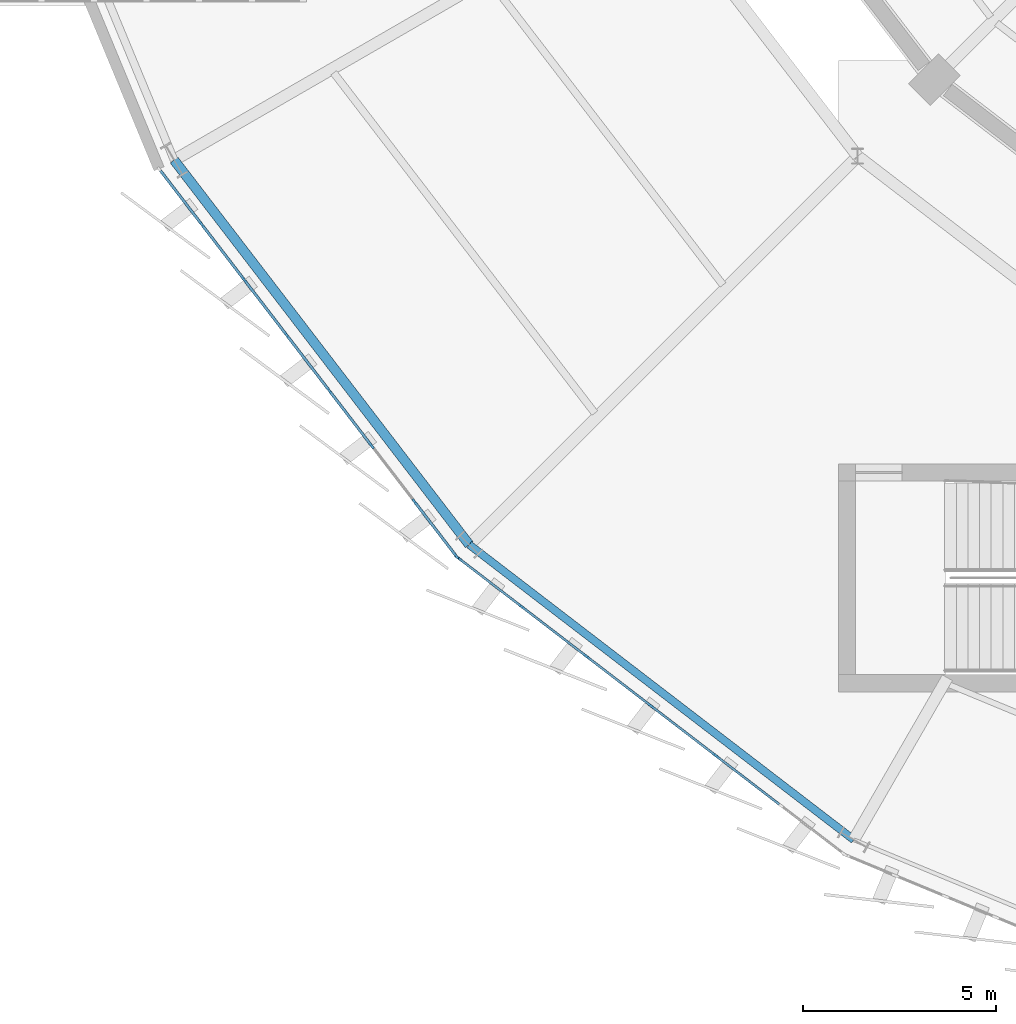
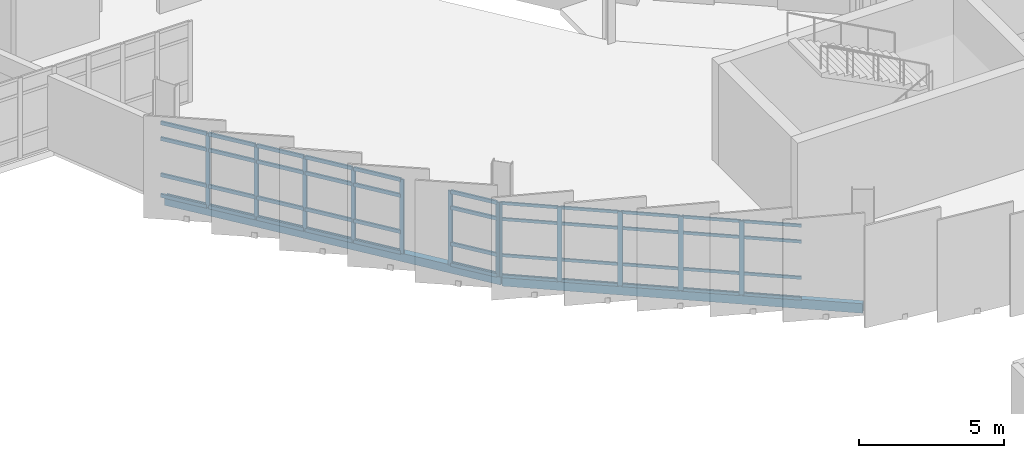
# One storey, part 29 of 125: 56 members, 2 beams, 2 elements without a shape of their own.
"""IFC4 building model written with IfcOpenShell, lengths in metres."""

from ifc_helpers import new_model, si_unit, direction, frame, origin, origin_2d, place, context, subcontext, project, spatial, rectangle, hollow_rectangle, extrude, material, layer, layer_set, material_profile, profile_set, type_object, element, aggregate, save


model = new_model("IFC4")

# Units and contexts
model_context = context("Model", 3, precision=1e-05, world=origin(), true_north=direction((0.0, 1.0)))
body_context = subcontext(model_context, "Body", "Model", "MODEL_VIEW")
ifc_project = project(units=[si_unit("LENGTHUNIT", "METRE"), si_unit("AREAUNIT", "SQUARE_METRE"), si_unit("VOLUMEUNIT", "CUBIC_METRE"), si_unit("PLANEANGLEUNIT", "RADIAN"), si_unit("MASSUNIT", "GRAM", prefix="KILO")], contexts=[model_context])

# Site, building, storey
site_placement = place(None, origin())
site = spatial("IfcSite", under=ifc_project, at=site_placement, CompositionType="ELEMENT")
building_placement = place(site_placement, origin())
building = spatial("IfcBuilding", under=site, at=building_placement, Name="Sohan Crest Arena", CompositionType="ELEMENT")
storey_placement = place(building_placement, frame((0.0, 0.0, 9.0)))
storey = spatial("IfcBuildingStorey", under=building, at=storey_placement, Name="L02", CompositionType="ELEMENT", Elevation=9.0)

# Curtain wall, members
ifc_material_1 = material(Name="Thermally broken anodised aluminium", Category="aluminium")
ifc_layer_1 = layer(ifc_material_1, 0.219970703125, Name="Thermally broken anodised aluminium")
ifc_layer_set_1 = layer_set([ifc_layer_1], Name="Thermally broken anodised aluminium")
curtain_wall_type_1 = type_object("IfcCurtainWallType", Name="ARC-CW03", PredefinedType="NOTDEFINED", material=ifc_layer_set_1)
curtain_wall_1_placement = place(storey_placement, origin())
curtain_wall_1 = element("IfcCurtainWall", 1, at=curtain_wall_1_placement, inside=storey, type_object=curtain_wall_type_1, Name="Unitised curtain wall CW-056", PredefinedType="NOTDEFINED")
ifc_material_profile_1 = material_profile(ifc_material_1, rectangle(XDim=0.06005859375, YDim=0.159912109375, at=origin_2d()), Name="ALU-MULL 60x160")
ifc_profile_set_1 = profile_set([ifc_material_profile_1], Name="Thermally broken anodised aluminium")
member_type_1 = type_object("IfcMemberType", Name="ARC-CW-ML01", PredefinedType="MULLION", material=ifc_profile_set_1)
member_1_placement = place(storey_placement, frame((57.14111328125, 52.341552734375, 0.0), z_axis=(0.0, 0.0, 1.0), x_axis=(0.79332886296, 0.60879332716, 0.0)))
member_1 = element("IfcMember", 2, at=member_1_placement, type_object=member_type_1, Name="CW-056 mullion 2", PredefinedType="MULLION", context=body_context, shape_type="SweptSolid", body=[
    extrude(rectangle(XDim=0.06005859375, YDim=0.159912109375, at=origin_2d()), origin(), (0.0, 0.0, 1.0), 3.1201171875),
])
member_2_placement = place(storey_placement, frame((58.240966796875, 50.908203125, 0.0), z_axis=(0.0, 0.0, 1.0), x_axis=(0.79332886296, 0.60879332716, 0.0)))
member_2 = element("IfcMember", 3, at=member_2_placement, type_object=member_type_1, Name="CW-056 mullion 3", PredefinedType="MULLION", context=body_context, shape_type="SweptSolid", body=[
    extrude(rectangle(XDim=0.06005859375, YDim=0.159912109375, at=origin_2d()), origin(), (0.0, 0.0, 1.0), 3.1201171875),
])
member_3_placement = place(storey_placement, frame((59.341064453125, 49.474609375, 0.0), z_axis=(0.0, 0.0, 1.0), x_axis=(0.79332886296, 0.60879332716, 0.0)))
member_3 = element("IfcMember", 4, at=member_3_placement, type_object=member_type_1, Name="CW-056 mullion 4", PredefinedType="MULLION", context=body_context, shape_type="SweptSolid", body=[
    extrude(rectangle(XDim=0.06005859375, YDim=0.159912109375, at=origin_2d()), origin(), (0.0, 0.0, 1.0), 3.1201171875),
])
member_4_placement = place(storey_placement, frame((60.44091796875, 48.041259765625, 0.0), z_axis=(0.0, 0.0, 1.0), x_axis=(0.79332886296, 0.60879332716, 0.0)))
member_4 = element("IfcMember", 5, at=member_4_placement, type_object=member_type_1, Name="CW-056 mullion 5", PredefinedType="MULLION", context=body_context, shape_type="SweptSolid", body=[
    extrude(rectangle(XDim=0.06005859375, YDim=0.159912109375, at=origin_2d()), origin(), (0.0, 0.0, 1.0), 3.1201171875),
])
member_5_placement = place(storey_placement, frame((61.541015625, 46.60791015625, 0.0), z_axis=(0.0, 0.0, 1.0), x_axis=(0.79332886296, 0.60879332716, 0.0)))
member_5 = element("IfcMember", 6, at=member_5_placement, type_object=member_type_1, Name="CW-056 mullion 6", PredefinedType="MULLION", context=body_context, shape_type="SweptSolid", body=[
    extrude(rectangle(XDim=0.06005859375, YDim=0.159912109375, at=origin_2d()), origin(), (0.0, 0.0, 1.0), 3.1201171875),
])
member_6_placement = place(storey_placement, frame((62.64111328125, 45.17431640625, 0.0), z_axis=(0.0, 0.0, 1.0), x_axis=(0.79332886296, 0.60879332716, 0.0)))
member_6 = element("IfcMember", 7, at=member_6_placement, type_object=member_type_1, Name="CW-056 mullion 7", PredefinedType="MULLION", context=body_context, shape_type="SweptSolid", body=[
    extrude(rectangle(XDim=0.06005859375, YDim=0.159912109375, at=origin_2d()), origin(), (0.0, 0.0, 1.0), 3.1201171875),
])
member_7_placement = place(storey_placement, frame((63.72265625, 43.764892578125, 0.0), z_axis=(0.0, 0.0, 1.0), x_axis=(0.79332886296, 0.60879332716, 0.0)))
member_7 = element("IfcMember", 8, at=member_7_placement, type_object=member_type_1, Name="CW-056 mullion 8", PredefinedType="MULLION", context=body_context, shape_type="SweptSolid", body=[
    extrude(rectangle(XDim=0.06005859375, YDim=0.159912109375, at=origin_2d()), origin(), (0.0, 0.0, 1.0), 3.1201171875),
])

ifc_layer_2 = layer(ifc_material_1, 0.239990234375, Name="Thermally broken anodised aluminium")
ifc_layer_set_2 = layer_set([ifc_layer_2], Name="Thermally broken anodised aluminium")
curtain_wall_type_2 = type_object("IfcCurtainWallType", Name="ARC-CW04", PredefinedType="NOTDEFINED", material=ifc_layer_set_2)
curtain_wall_2_placement = place(storey_placement, origin())
curtain_wall_2 = element("IfcCurtainWall", 9, at=curtain_wall_2_placement, inside=storey, type_object=curtain_wall_type_2, Name="Unitised curtain wall CW-057", PredefinedType="NOTDEFINED")
ifc_material_profile_2 = material_profile(ifc_material_1, rectangle(XDim=0.06494140625, YDim=0.179931640625, at=origin_2d()), Name="ALU-MULL 65x180")
ifc_profile_set_2 = profile_set([ifc_material_profile_2], Name="Thermally broken anodised aluminium")
member_type_2 = type_object("IfcMemberType", Name="ARC-CW-ML02", PredefinedType="MULLION", material=ifc_profile_set_2)
member_8_placement = place(storey_placement, frame((63.766845703125, 43.72119140625, 0.0), z_axis=(0.0, 0.0, 1.0), x_axis=(0.60879332716, 0.79332886296, 0.0)))
member_8 = element("IfcMember", 10, at=member_8_placement, type_object=member_type_2, Name="CW-057 mullion 1", PredefinedType="MULLION", context=body_context, shape_type="SweptSolid", body=[
    extrude(rectangle(XDim=0.06494140625, YDim=0.179931640625, at=origin_2d()), origin(), (0.0, 0.0, 1.0), 3.1201171875),
])
member_9_placement = place(storey_placement, frame((65.413330078125, 42.457763671875, 0.0), z_axis=(0.0, 0.0, 1.0), x_axis=(0.60879332716, 0.79332886296, 0.0)))
member_9 = element("IfcMember", 11, at=member_9_placement, type_object=member_type_2, Name="CW-057 mullion 2", PredefinedType="MULLION", context=body_context, shape_type="SweptSolid", body=[
    extrude(rectangle(XDim=0.06494140625, YDim=0.179931640625, at=origin_2d()), origin(), (0.0, 0.0, 1.0), 3.1201171875),
])
member_10_placement = place(storey_placement, frame((67.085693359375, 41.17431640625, 0.0), z_axis=(0.0, 0.0, 1.0), x_axis=(0.60879332716, 0.79332886296, 0.0)))
member_10 = element("IfcMember", 12, at=member_10_placement, type_object=member_type_2, Name="CW-057 mullion 3", PredefinedType="MULLION", context=body_context, shape_type="SweptSolid", body=[
    extrude(rectangle(XDim=0.06494140625, YDim=0.179931640625, at=origin_2d()), origin(), (0.0, 0.0, 1.0), 3.1201171875),
])
member_11_placement = place(storey_placement, frame((68.758056640625, 39.89111328125, 0.0), z_axis=(0.0, 0.0, 1.0), x_axis=(0.60879332716, 0.79332886296, 0.0)))
member_11 = element("IfcMember", 13, at=member_11_placement, type_object=member_type_2, Name="CW-057 mullion 4", PredefinedType="MULLION", context=body_context, shape_type="SweptSolid", body=[
    extrude(rectangle(XDim=0.06494140625, YDim=0.179931640625, at=origin_2d()), origin(), (0.0, 0.0, 1.0), 3.1201171875),
])
member_12_placement = place(storey_placement, frame((70.430419921875, 38.607666015625, 0.0), z_axis=(0.0, 0.0, 1.0), x_axis=(0.60879332716, 0.79332886296, 0.0)))
member_12 = element("IfcMember", 14, at=member_12_placement, type_object=member_type_2, Name="CW-057 mullion 5", PredefinedType="MULLION", context=body_context, shape_type="SweptSolid", body=[
    extrude(rectangle(XDim=0.06494140625, YDim=0.179931640625, at=origin_2d()), origin(), (0.0, 0.0, 1.0), 3.1201171875),
])
ifc_material_profile_3 = material_profile(ifc_material_1, rectangle(XDim=0.06005859375, YDim=0.1201171875, at=origin_2d()), Name="ALU-TRAN 60x120")
ifc_profile_set_3 = profile_set([ifc_material_profile_3], Name="Thermally broken anodised aluminium")
member_type_3 = type_object("IfcMemberType", Name="ARC-CW-TR01", PredefinedType="USERDEFINED", material=ifc_profile_set_3)
member_13_placement = place(storey_placement, frame((63.79248046875, 43.701416015625, 0.030029296875), z_axis=(0.793350244306, -0.608765463754, 0.0), x_axis=(0.608765463754, 0.793350244306, 0.0)))
member_13 = element("IfcMember", 15, at=member_13_placement, type_object=member_type_3, Name="CW-057 transom 1.1", ObjectType="TRANSOM", PredefinedType="USERDEFINED", context=body_context, shape_type="SweptSolid", body=[
    extrude(rectangle(XDim=0.06005859375, YDim=0.1201171875, at=origin_2d()), origin(), (0.0, 0.0, 1.0), 2.010498046875),
])
member_14_placement = place(storey_placement, frame((63.79248046875, 43.701416015625, 0.89990234375), z_axis=(0.793350244306, -0.608765463754, 0.0), x_axis=(0.608765463754, 0.793350244306, 0.0)))
member_14 = element("IfcMember", 16, at=member_14_placement, type_object=member_type_3, Name="CW-057 transom 1.2", ObjectType="TRANSOM", PredefinedType="USERDEFINED", context=body_context, shape_type="SweptSolid", body=[
    extrude(rectangle(XDim=0.06005859375, YDim=0.1201171875, at=origin_2d()), origin(), (0.0, 0.0, 1.0), 2.010498046875),
])
member_15_placement = place(storey_placement, frame((63.79248046875, 43.701416015625, 2.419921875), z_axis=(0.793350244306, -0.608765463754, 0.0), x_axis=(0.608765463754, 0.793350244306, 0.0)))
member_15 = element("IfcMember", 17, at=member_15_placement, type_object=member_type_3, Name="CW-057 transom 1.3", ObjectType="TRANSOM", PredefinedType="USERDEFINED", context=body_context, shape_type="SweptSolid", body=[
    extrude(rectangle(XDim=0.06005859375, YDim=0.1201171875, at=origin_2d()), origin(), (0.0, 0.0, 1.0), 2.010498046875),
])
member_16_placement = place(storey_placement, frame((63.79248046875, 43.701416015625, 3.090087890625), z_axis=(0.793350244306, -0.608765463754, 0.0), x_axis=(0.608765463754, 0.793350244306, 0.0)))
member_16 = element("IfcMember", 18, at=member_16_placement, type_object=member_type_3, Name="CW-057 transom 1.4", ObjectType="TRANSOM", PredefinedType="USERDEFINED", context=body_context, shape_type="SweptSolid", body=[
    extrude(rectangle(XDim=0.06005859375, YDim=0.1201171875, at=origin_2d()), origin(), (0.0, 0.0, 1.0), 2.010498046875),
])
member_17_placement = place(storey_placement, frame((65.439208984375, 42.43798828125, 0.030029296875), z_axis=(0.793267713408, -0.608873003889, 0.0), x_axis=(0.608873003889, 0.793267713408, 0.0)))
member_17 = element("IfcMember", 19, at=member_17_placement, type_object=member_type_3, Name="CW-057 transom 2.1", ObjectType="TRANSOM", PredefinedType="USERDEFINED", context=body_context, shape_type="SweptSolid", body=[
    extrude(rectangle(XDim=0.06005859375, YDim=0.1201171875, at=origin_2d()), origin(), (0.0, 0.0, 1.0), 2.04296875),
])
member_18_placement = place(storey_placement, frame((65.439208984375, 42.43798828125, 0.89990234375), z_axis=(0.793267713408, -0.608873003889, 0.0), x_axis=(0.608873003889, 0.793267713408, 0.0)))
member_18 = element("IfcMember", 20, at=member_18_placement, type_object=member_type_3, Name="CW-057 transom 2.2", ObjectType="TRANSOM", PredefinedType="USERDEFINED", context=body_context, shape_type="SweptSolid", body=[
    extrude(rectangle(XDim=0.06005859375, YDim=0.1201171875, at=origin_2d()), origin(), (0.0, 0.0, 1.0), 2.04296875),
])
member_19_placement = place(storey_placement, frame((65.439208984375, 42.43798828125, 2.419921875), z_axis=(0.793267713408, -0.608873003889, 0.0), x_axis=(0.608873003889, 0.793267713408, 0.0)))
member_19 = element("IfcMember", 21, at=member_19_placement, type_object=member_type_3, Name="CW-057 transom 2.3", ObjectType="TRANSOM", PredefinedType="USERDEFINED", context=body_context, shape_type="SweptSolid", body=[
    extrude(rectangle(XDim=0.06005859375, YDim=0.1201171875, at=origin_2d()), origin(), (0.0, 0.0, 1.0), 2.04296875),
])
member_20_placement = place(storey_placement, frame((65.439208984375, 42.43798828125, 3.090087890625), z_axis=(0.793267713408, -0.608873003889, 0.0), x_axis=(0.608873003889, 0.793267713408, 0.0)))
member_20 = element("IfcMember", 22, at=member_20_placement, type_object=member_type_3, Name="CW-057 transom 2.4", ObjectType="TRANSOM", PredefinedType="USERDEFINED", context=body_context, shape_type="SweptSolid", body=[
    extrude(rectangle(XDim=0.06005859375, YDim=0.1201171875, at=origin_2d()), origin(), (0.0, 0.0, 1.0), 2.04296875),
])
member_21_placement = place(storey_placement, frame((67.111328125, 41.154541015625, 0.030029296875), z_axis=(0.793369723671, -0.608740077177, 0.0), x_axis=(0.608740077177, 0.793369723671, 0.0)))
member_21 = element("IfcMember", 23, at=member_21_placement, type_object=member_type_3, Name="CW-057 transom 3.1", ObjectType="TRANSOM", PredefinedType="USERDEFINED", context=body_context, shape_type="SweptSolid", body=[
    extrude(rectangle(XDim=0.06005859375, YDim=0.1201171875, at=origin_2d()), origin(), (0.0, 0.0, 1.0), 2.04296875),
])
member_22_placement = place(storey_placement, frame((67.111328125, 41.154541015625, 0.89990234375), z_axis=(0.793369723671, -0.608740077177, 0.0), x_axis=(0.608740077177, 0.793369723671, 0.0)))
member_22 = element("IfcMember", 24, at=member_22_placement, type_object=member_type_3, Name="CW-057 transom 3.2", ObjectType="TRANSOM", PredefinedType="USERDEFINED", context=body_context, shape_type="SweptSolid", body=[
    extrude(rectangle(XDim=0.06005859375, YDim=0.1201171875, at=origin_2d()), origin(), (0.0, 0.0, 1.0), 2.04296875),
])
member_23_placement = place(storey_placement, frame((67.111328125, 41.154541015625, 2.419921875), z_axis=(0.793369723671, -0.608740077177, 0.0), x_axis=(0.608740077177, 0.793369723671, 0.0)))
member_23 = element("IfcMember", 25, at=member_23_placement, type_object=member_type_3, Name="CW-057 transom 3.3", ObjectType="TRANSOM", PredefinedType="USERDEFINED", context=body_context, shape_type="SweptSolid", body=[
    extrude(rectangle(XDim=0.06005859375, YDim=0.1201171875, at=origin_2d()), origin(), (0.0, 0.0, 1.0), 2.04296875),
])
member_24_placement = place(storey_placement, frame((67.111328125, 41.154541015625, 3.090087890625), z_axis=(0.793369723671, -0.608740077177, 0.0), x_axis=(0.608740077177, 0.793369723671, 0.0)))
member_24 = element("IfcMember", 26, at=member_24_placement, type_object=member_type_3, Name="CW-057 transom 3.4", ObjectType="TRANSOM", PredefinedType="USERDEFINED", context=body_context, shape_type="SweptSolid", body=[
    extrude(rectangle(XDim=0.06005859375, YDim=0.1201171875, at=origin_2d()), origin(), (0.0, 0.0, 1.0), 2.04296875),
])
member_25_placement = place(storey_placement, frame((68.78369140625, 39.87109375, 0.030029296875), z_axis=(0.793369723671, -0.608740077177, 0.0), x_axis=(0.608740077177, 0.793369723671, 0.0)))
member_25 = element("IfcMember", 27, at=member_25_placement, type_object=member_type_3, Name="CW-057 transom 4.1", ObjectType="TRANSOM", PredefinedType="USERDEFINED", context=body_context, shape_type="SweptSolid", body=[
    extrude(rectangle(XDim=0.06005859375, YDim=0.1201171875, at=origin_2d()), origin(), (0.0, 0.0, 1.0), 2.04296875),
])
member_26_placement = place(storey_placement, frame((68.78369140625, 39.87109375, 0.89990234375), z_axis=(0.793369723671, -0.608740077177, 0.0), x_axis=(0.608740077177, 0.793369723671, 0.0)))
member_26 = element("IfcMember", 28, at=member_26_placement, type_object=member_type_3, Name="CW-057 transom 4.2", ObjectType="TRANSOM", PredefinedType="USERDEFINED", context=body_context, shape_type="SweptSolid", body=[
    extrude(rectangle(XDim=0.06005859375, YDim=0.1201171875, at=origin_2d()), origin(), (0.0, 0.0, 1.0), 2.04296875),
])
member_27_placement = place(storey_placement, frame((68.78369140625, 39.87109375, 2.419921875), z_axis=(0.793369723671, -0.608740077177, 0.0), x_axis=(0.608740077177, 0.793369723671, 0.0)))
member_27 = element("IfcMember", 29, at=member_27_placement, type_object=member_type_3, Name="CW-057 transom 4.3", ObjectType="TRANSOM", PredefinedType="USERDEFINED", context=body_context, shape_type="SweptSolid", body=[
    extrude(rectangle(XDim=0.06005859375, YDim=0.1201171875, at=origin_2d()), origin(), (0.0, 0.0, 1.0), 2.04296875),
])
member_28_placement = place(storey_placement, frame((68.78369140625, 39.87109375, 3.090087890625), z_axis=(0.793369723671, -0.608740077177, 0.0), x_axis=(0.608740077177, 0.793369723671, 0.0)))
member_28 = element("IfcMember", 30, at=member_28_placement, type_object=member_type_3, Name="CW-057 transom 4.4", ObjectType="TRANSOM", PredefinedType="USERDEFINED", context=body_context, shape_type="SweptSolid", body=[
    extrude(rectangle(XDim=0.06005859375, YDim=0.1201171875, at=origin_2d()), origin(), (0.0, 0.0, 1.0), 2.04296875),
])
member_29_placement = place(storey_placement, frame((70.4560546875, 38.587890625, 0.030029296875), z_axis=(0.793369723671, -0.608740077177, 0.0), x_axis=(0.608740077177, 0.793369723671, 0.0)))
member_29 = element("IfcMember", 31, at=member_29_placement, type_object=member_type_3, Name="CW-057 transom 5.1", ObjectType="TRANSOM", PredefinedType="USERDEFINED", context=body_context, shape_type="SweptSolid", body=[
    extrude(rectangle(XDim=0.06005859375, YDim=0.1201171875, at=origin_2d()), origin(), (0.0, 0.0, 1.0), 2.04296875),
])
member_30_placement = place(storey_placement, frame((70.4560546875, 38.587890625, 0.89990234375), z_axis=(0.793369723671, -0.608740077177, 0.0), x_axis=(0.608740077177, 0.793369723671, 0.0)))
member_30 = element("IfcMember", 32, at=member_30_placement, type_object=member_type_3, Name="CW-057 transom 5.2", ObjectType="TRANSOM", PredefinedType="USERDEFINED", context=body_context, shape_type="SweptSolid", body=[
    extrude(rectangle(XDim=0.06005859375, YDim=0.1201171875, at=origin_2d()), origin(), (0.0, 0.0, 1.0), 2.04296875),
])
member_31_placement = place(storey_placement, frame((70.4560546875, 38.587890625, 2.419921875), z_axis=(0.793369723671, -0.608740077177, 0.0), x_axis=(0.608740077177, 0.793369723671, 0.0)))
member_31 = element("IfcMember", 33, at=member_31_placement, type_object=member_type_3, Name="CW-057 transom 5.3", ObjectType="TRANSOM", PredefinedType="USERDEFINED", context=body_context, shape_type="SweptSolid", body=[
    extrude(rectangle(XDim=0.06005859375, YDim=0.1201171875, at=origin_2d()), origin(), (0.0, 0.0, 1.0), 2.04296875),
])
member_32_placement = place(storey_placement, frame((70.4560546875, 38.587890625, 3.090087890625), z_axis=(0.793369723671, -0.608740077177, 0.0), x_axis=(0.608740077177, 0.793369723671, 0.0)))
member_32 = element("IfcMember", 34, at=member_32_placement, type_object=member_type_3, Name="CW-057 transom 5.4", ObjectType="TRANSOM", PredefinedType="USERDEFINED", context=body_context, shape_type="SweptSolid", body=[
    extrude(rectangle(XDim=0.06005859375, YDim=0.1201171875, at=origin_2d()), origin(), (0.0, 0.0, 1.0), 2.04296875),
])
aggregate(curtain_wall_2, [member_8, member_9, member_10, member_11, member_12, member_13, member_14, member_15, member_16, member_17, member_18, member_19, member_20, member_21, member_22, member_23, member_24, member_25, member_26, member_27, member_28, member_29, member_30, member_31, member_32])

# Member
ifc_material_profile_4 = material_profile(ifc_material_1, rectangle(XDim=0.070068359375, YDim=0.14990234375, at=origin_2d()), Name="ALU-TRAN 70x150")
ifc_profile_set_4 = profile_set([ifc_material_profile_4], Name="Thermally broken anodised aluminium")
member_type_4 = type_object("IfcMemberType", Name="ARC-CW-TR03", PredefinedType="USERDEFINED", material=ifc_profile_set_4)
member_33_placement = place(storey_placement, frame((56.07763671875, 53.727294921875, 0.034912109375), z_axis=(0.608837518315, -0.793294949115, 0.0), x_axis=(0.793294949115, 0.608837518315, 0.0)))
member_33 = element("IfcMember", 35, at=member_33_placement, type_object=member_type_4, Name="CW-056 transom 1.1", ObjectType="TRANSOM", PredefinedType="USERDEFINED", context=body_context, shape_type="SweptSolid", body=[
    extrude(rectangle(XDim=0.070068359375, YDim=0.14990234375, at=origin_2d()), origin(), (0.0, 0.0, 1.0), 1.716552734375),
])

member_34_placement = place(storey_placement, frame((56.07763671875, 53.727294921875, 0.89990234375), z_axis=(0.608837518315, -0.793294949115, 0.0), x_axis=(0.793294949115, 0.608837518315, 0.0)))
member_34 = element("IfcMember", 36, at=member_34_placement, type_object=member_type_4, Name="CW-056 transom 1.2", ObjectType="TRANSOM", PredefinedType="USERDEFINED", context=body_context, shape_type="SweptSolid", body=[
    extrude(rectangle(XDim=0.070068359375, YDim=0.14990234375, at=origin_2d()), origin(), (0.0, 0.0, 1.0), 1.716552734375),
])

member_35_placement = place(storey_placement, frame((56.07763671875, 53.727294921875, 2.419921875), z_axis=(0.608837518315, -0.793294949115, 0.0), x_axis=(0.793294949115, 0.608837518315, 0.0)))
member_35 = element("IfcMember", 37, at=member_35_placement, type_object=member_type_4, Name="CW-056 transom 1.3", ObjectType="TRANSOM", PredefinedType="USERDEFINED", context=body_context, shape_type="SweptSolid", body=[
    extrude(rectangle(XDim=0.070068359375, YDim=0.14990234375, at=origin_2d()), origin(), (0.0, 0.0, 1.0), 1.716552734375),
])

member_36_placement = place(storey_placement, frame((56.07763671875, 53.727294921875, 3.0849609375), z_axis=(0.608837518315, -0.793294949115, 0.0), x_axis=(0.793294949115, 0.608837518315, 0.0)))
member_36 = element("IfcMember", 38, at=member_36_placement, type_object=member_type_4, Name="CW-056 transom 1.4", ObjectType="TRANSOM", PredefinedType="USERDEFINED", context=body_context, shape_type="SweptSolid", body=[
    extrude(rectangle(XDim=0.070068359375, YDim=0.14990234375, at=origin_2d()), origin(), (0.0, 0.0, 1.0), 1.716552734375),
])

member_37_placement = place(storey_placement, frame((57.1591796875, 52.31787109375, 0.034912109375), z_axis=(0.608751286222, -0.793361123022, 0.0), x_axis=(0.793361123022, 0.608751286222, 0.0)))
member_37 = element("IfcMember", 39, at=member_37_placement, type_object=member_type_4, Name="CW-056 transom 2.1", ObjectType="TRANSOM", PredefinedType="USERDEFINED", context=body_context, shape_type="SweptSolid", body=[
    extrude(rectangle(XDim=0.070068359375, YDim=0.14990234375, at=origin_2d()), origin(), (0.0, 0.0, 1.0), 1.7470703125),
])

member_38_placement = place(storey_placement, frame((57.1591796875, 52.31787109375, 0.89990234375), z_axis=(0.608751286222, -0.793361123022, 0.0), x_axis=(0.793361123022, 0.608751286222, 0.0)))
member_38 = element("IfcMember", 40, at=member_38_placement, type_object=member_type_4, Name="CW-056 transom 2.2", ObjectType="TRANSOM", PredefinedType="USERDEFINED", context=body_context, shape_type="SweptSolid", body=[
    extrude(rectangle(XDim=0.070068359375, YDim=0.14990234375, at=origin_2d()), origin(), (0.0, 0.0, 1.0), 1.7470703125),
])

member_39_placement = place(storey_placement, frame((57.1591796875, 52.31787109375, 2.419921875), z_axis=(0.608751286222, -0.793361123022, 0.0), x_axis=(0.793361123022, 0.608751286222, 0.0)))
member_39 = element("IfcMember", 41, at=member_39_placement, type_object=member_type_4, Name="CW-056 transom 2.3", ObjectType="TRANSOM", PredefinedType="USERDEFINED", context=body_context, shape_type="SweptSolid", body=[
    extrude(rectangle(XDim=0.070068359375, YDim=0.14990234375, at=origin_2d()), origin(), (0.0, 0.0, 1.0), 1.7470703125),
])

member_40_placement = place(storey_placement, frame((57.1591796875, 52.31787109375, 3.0849609375), z_axis=(0.608751286222, -0.793361123022, 0.0), x_axis=(0.793361123022, 0.608751286222, 0.0)))
member_40 = element("IfcMember", 42, at=member_40_placement, type_object=member_type_4, Name="CW-056 transom 2.4", ObjectType="TRANSOM", PredefinedType="USERDEFINED", context=body_context, shape_type="SweptSolid", body=[
    extrude(rectangle(XDim=0.070068359375, YDim=0.14990234375, at=origin_2d()), origin(), (0.0, 0.0, 1.0), 1.7470703125),
])

member_41_placement = place(storey_placement, frame((58.25927734375, 50.88427734375, 0.034912109375), z_axis=(0.608818785139, -0.79330932609, 0.0), x_axis=(0.79330932609, 0.608818785139, 0.0)))
member_41 = element("IfcMember", 43, at=member_41_placement, type_object=member_type_4, Name="CW-056 transom 3.1", ObjectType="TRANSOM", PredefinedType="USERDEFINED", context=body_context, shape_type="SweptSolid", body=[
    extrude(rectangle(XDim=0.070068359375, YDim=0.14990234375, at=origin_2d()), origin(), (0.0, 0.0, 1.0), 1.746826171875),
])

member_42_placement = place(storey_placement, frame((58.25927734375, 50.88427734375, 0.89990234375), z_axis=(0.608818785139, -0.79330932609, 0.0), x_axis=(0.79330932609, 0.608818785139, 0.0)))
member_42 = element("IfcMember", 44, at=member_42_placement, type_object=member_type_4, Name="CW-056 transom 3.2", ObjectType="TRANSOM", PredefinedType="USERDEFINED", context=body_context, shape_type="SweptSolid", body=[
    extrude(rectangle(XDim=0.070068359375, YDim=0.14990234375, at=origin_2d()), origin(), (0.0, 0.0, 1.0), 1.746826171875),
])

member_43_placement = place(storey_placement, frame((58.25927734375, 50.88427734375, 2.419921875), z_axis=(0.608818785139, -0.79330932609, 0.0), x_axis=(0.79330932609, 0.608818785139, 0.0)))
member_43 = element("IfcMember", 45, at=member_43_placement, type_object=member_type_4, Name="CW-056 transom 3.3", ObjectType="TRANSOM", PredefinedType="USERDEFINED", context=body_context, shape_type="SweptSolid", body=[
    extrude(rectangle(XDim=0.070068359375, YDim=0.14990234375, at=origin_2d()), origin(), (0.0, 0.0, 1.0), 1.746826171875),
])

member_44_placement = place(storey_placement, frame((58.25927734375, 50.88427734375, 3.0849609375), z_axis=(0.608818785139, -0.79330932609, 0.0), x_axis=(0.79330932609, 0.608818785139, 0.0)))
member_44 = element("IfcMember", 46, at=member_44_placement, type_object=member_type_4, Name="CW-056 transom 3.4", ObjectType="TRANSOM", PredefinedType="USERDEFINED", context=body_context, shape_type="SweptSolid", body=[
    extrude(rectangle(XDim=0.070068359375, YDim=0.14990234375, at=origin_2d()), origin(), (0.0, 0.0, 1.0), 1.746826171875),
])

member_45_placement = place(storey_placement, frame((59.359375, 49.450927734375, 0.034912109375), z_axis=(0.608818785139, -0.79330932609, 0.0), x_axis=(0.79330932609, 0.608818785139, 0.0)))
member_45 = element("IfcMember", 47, at=member_45_placement, type_object=member_type_4, Name="CW-056 transom 4.1", ObjectType="TRANSOM", PredefinedType="USERDEFINED", context=body_context, shape_type="SweptSolid", body=[
    extrude(rectangle(XDim=0.070068359375, YDim=0.14990234375, at=origin_2d()), origin(), (0.0, 0.0, 1.0), 1.746826171875),
])

member_46_placement = place(storey_placement, frame((59.359375, 49.450927734375, 0.89990234375), z_axis=(0.608818785139, -0.79330932609, 0.0), x_axis=(0.79330932609, 0.608818785139, 0.0)))
member_46 = element("IfcMember", 48, at=member_46_placement, type_object=member_type_4, Name="CW-056 transom 4.2", ObjectType="TRANSOM", PredefinedType="USERDEFINED", context=body_context, shape_type="SweptSolid", body=[
    extrude(rectangle(XDim=0.070068359375, YDim=0.14990234375, at=origin_2d()), origin(), (0.0, 0.0, 1.0), 1.746826171875),
])

member_47_placement = place(storey_placement, frame((59.359375, 49.450927734375, 2.419921875), z_axis=(0.608818785139, -0.79330932609, 0.0), x_axis=(0.79330932609, 0.608818785139, 0.0)))
member_47 = element("IfcMember", 49, at=member_47_placement, type_object=member_type_4, Name="CW-056 transom 4.3", ObjectType="TRANSOM", PredefinedType="USERDEFINED", context=body_context, shape_type="SweptSolid", body=[
    extrude(rectangle(XDim=0.070068359375, YDim=0.14990234375, at=origin_2d()), origin(), (0.0, 0.0, 1.0), 1.746826171875),
])

member_48_placement = place(storey_placement, frame((59.359375, 49.450927734375, 3.0849609375), z_axis=(0.608818785139, -0.79330932609, 0.0), x_axis=(0.79330932609, 0.608818785139, 0.0)))
member_48 = element("IfcMember", 50, at=member_48_placement, type_object=member_type_4, Name="CW-056 transom 4.4", ObjectType="TRANSOM", PredefinedType="USERDEFINED", context=body_context, shape_type="SweptSolid", body=[
    extrude(rectangle(XDim=0.070068359375, YDim=0.14990234375, at=origin_2d()), origin(), (0.0, 0.0, 1.0), 1.746826171875),
])

member_49_placement = place(storey_placement, frame((60.459228515625, 48.017578125, 0.034912109375), z_axis=(0.608751286222, -0.793361123022, 0.0), x_axis=(0.793361123022, 0.608751286222, 0.0)))
member_49 = element("IfcMember", 51, at=member_49_placement, type_object=member_type_4, Name="CW-056 transom 5.1", ObjectType="TRANSOM", PredefinedType="USERDEFINED", context=body_context, shape_type="SweptSolid", body=[
    extrude(rectangle(XDim=0.070068359375, YDim=0.14990234375, at=origin_2d()), origin(), (0.0, 0.0, 1.0), 1.7470703125),
])

member_50_placement = place(storey_placement, frame((60.459228515625, 48.017578125, 0.89990234375), z_axis=(0.608751286222, -0.793361123022, 0.0), x_axis=(0.793361123022, 0.608751286222, 0.0)))
member_50 = element("IfcMember", 52, at=member_50_placement, type_object=member_type_4, Name="CW-056 transom 5.2", ObjectType="TRANSOM", PredefinedType="USERDEFINED", context=body_context, shape_type="SweptSolid", body=[
    extrude(rectangle(XDim=0.070068359375, YDim=0.14990234375, at=origin_2d()), origin(), (0.0, 0.0, 1.0), 1.7470703125),
])

member_51_placement = place(storey_placement, frame((60.459228515625, 48.017578125, 2.419921875), z_axis=(0.608751286222, -0.793361123022, 0.0), x_axis=(0.793361123022, 0.608751286222, 0.0)))
member_51 = element("IfcMember", 53, at=member_51_placement, type_object=member_type_4, Name="CW-056 transom 5.3", ObjectType="TRANSOM", PredefinedType="USERDEFINED", context=body_context, shape_type="SweptSolid", body=[
    extrude(rectangle(XDim=0.070068359375, YDim=0.14990234375, at=origin_2d()), origin(), (0.0, 0.0, 1.0), 1.7470703125),
])

member_52_placement = place(storey_placement, frame((60.459228515625, 48.017578125, 3.0849609375), z_axis=(0.608751286222, -0.793361123022, 0.0), x_axis=(0.793361123022, 0.608751286222, 0.0)))
member_52 = element("IfcMember", 54, at=member_52_placement, type_object=member_type_4, Name="CW-056 transom 5.4", ObjectType="TRANSOM", PredefinedType="USERDEFINED", context=body_context, shape_type="SweptSolid", body=[
    extrude(rectangle(XDim=0.070068359375, YDim=0.14990234375, at=origin_2d()), origin(), (0.0, 0.0, 1.0), 1.7470703125),
])

member_53_placement = place(storey_placement, frame((62.6591796875, 45.150634765625, 0.034912109375), z_axis=(0.608858324673, -0.793278980231, 0.0), x_axis=(0.793278980231, 0.608858324673, 0.0)))
member_53 = element("IfcMember", 55, at=member_53_placement, type_object=member_type_4, Name="CW-056 transom 7.1", ObjectType="TRANSOM", PredefinedType="USERDEFINED", context=body_context, shape_type="SweptSolid", body=[
    extrude(rectangle(XDim=0.070068359375, YDim=0.14990234375, at=origin_2d()), origin(), (0.0, 0.0, 1.0), 1.717041015625),
])

member_54_placement = place(storey_placement, frame((62.6591796875, 45.150634765625, 0.89990234375), z_axis=(0.608858324673, -0.793278980231, 0.0), x_axis=(0.793278980231, 0.608858324673, 0.0)))
member_54 = element("IfcMember", 56, at=member_54_placement, type_object=member_type_4, Name="CW-056 transom 7.2", ObjectType="TRANSOM", PredefinedType="USERDEFINED", context=body_context, shape_type="SweptSolid", body=[
    extrude(rectangle(XDim=0.070068359375, YDim=0.14990234375, at=origin_2d()), origin(), (0.0, 0.0, 1.0), 1.717041015625),
])

member_55_placement = place(storey_placement, frame((62.6591796875, 45.150634765625, 2.419921875), z_axis=(0.608858324673, -0.793278980231, 0.0), x_axis=(0.793278980231, 0.608858324673, 0.0)))
member_55 = element("IfcMember", 57, at=member_55_placement, type_object=member_type_4, Name="CW-056 transom 7.3", ObjectType="TRANSOM", PredefinedType="USERDEFINED", context=body_context, shape_type="SweptSolid", body=[
    extrude(rectangle(XDim=0.070068359375, YDim=0.14990234375, at=origin_2d()), origin(), (0.0, 0.0, 1.0), 1.717041015625),
])

member_56_placement = place(storey_placement, frame((62.6591796875, 45.150634765625, 3.0849609375), z_axis=(0.608858324673, -0.793278980231, 0.0), x_axis=(0.793278980231, 0.608858324673, 0.0)))
member_56 = element("IfcMember", 58, at=member_56_placement, type_object=member_type_4, Name="CW-056 transom 7.4", ObjectType="TRANSOM", PredefinedType="USERDEFINED", context=body_context, shape_type="SweptSolid", body=[
    extrude(rectangle(XDim=0.070068359375, YDim=0.14990234375, at=origin_2d()), origin(), (0.0, 0.0, 1.0), 1.717041015625),
])

aggregate(curtain_wall_1, [member_1, member_2, member_3, member_4, member_5, member_6, member_7, member_33, member_34, member_35, member_36, member_37, member_38, member_39, member_40, member_41, member_42, member_43, member_44, member_45, member_46, member_47, member_48, member_49, member_50, member_51, member_52, member_53, member_54, member_55, member_56])

# Beams
ifc_material_2 = material(Name="Steel S355", Category="steel")
ifc_material_profile_5 = material_profile(ifc_material_2, hollow_rectangle(XDim=0.25, YDim=0.35009765625, WallThickness=0.012451171875, at=origin_2d()), Name="RHS 350x250x12.5")
ifc_profile_set_5 = profile_set([ifc_material_profile_5], Name="Steel S355")
beam_type_1 = type_object("IfcBeamType", Name="STR-BM-SP04", PredefinedType="SPANDREL", material=ifc_profile_set_5)
beam_1_placement = place(storey_placement, frame((56.430908203125, 54.0, -0.425048828125), z_axis=(0.608773443368, -0.793344121205, 0.0), x_axis=(0.793344121205, 0.608773443368, 0.0)))
element("IfcBeam", 59, at=beam_1_placement, inside=storey, type_object=beam_type_1, Name="Structural beam SP-L02-1278", PredefinedType="SPANDREL", context=body_context, shape_type="SweptSolid", body=[
    extrude(hollow_rectangle(XDim=0.25, YDim=0.35009765625, WallThickness=0.012451171875, at=origin_2d()), origin(), (0.0, 0.0, 1.0), 12.530517578125),
])
ifc_material_profile_6 = material_profile(ifc_material_2, hollow_rectangle(XDim=0.199951171875, YDim=0.39990234375, WallThickness=0.012451171875, at=origin_2d()), Name="RHS 400x200x12.5")
ifc_profile_set_6 = profile_set([ifc_material_profile_6], Name="Steel S355")
beam_type_2 = type_object("IfcBeamType", Name="STR-BM-SP05", PredefinedType="SPANDREL", material=ifc_profile_set_6)
beam_2_placement = place(storey_placement, frame((64.05908203125, 44.05908203125, -0.449951171875), z_axis=(0.793344121205, -0.608773443368, 0.0), x_axis=(0.608773443368, 0.793344121205, 0.0)))
element("IfcBeam", 60, at=beam_2_placement, inside=storey, type_object=beam_type_2, Name="Structural beam SP-L02-1283", PredefinedType="SPANDREL", context=body_context, shape_type="SweptSolid", body=[
    extrude(hollow_rectangle(XDim=0.199951171875, YDim=0.39990234375, WallThickness=0.012451171875, at=origin_2d()), origin(), (0.0, 0.0, 1.0), 12.530517578125),
])

save(model, "model.ifc")
